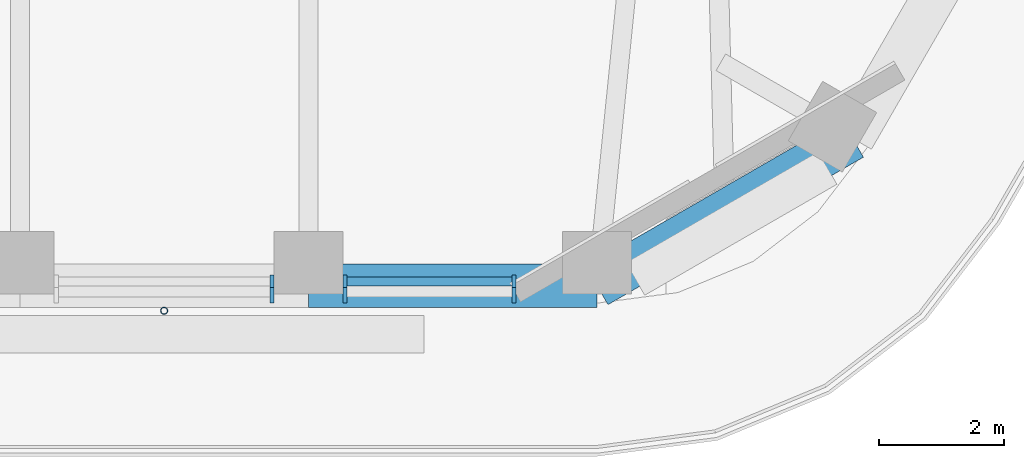
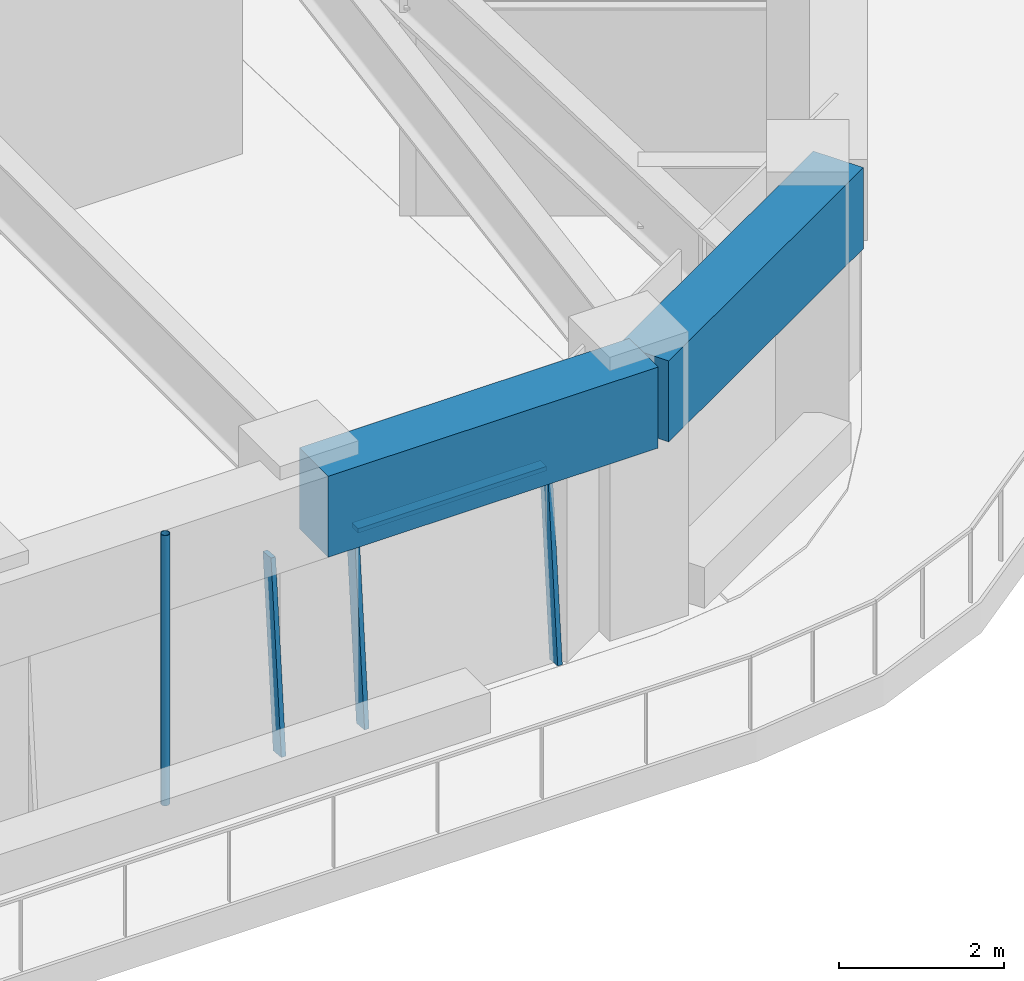
# One storey, part 4 of 20: 5 members, 2 beams, 2 elements without a shape of their own.
"""IFC4 building model written with IfcOpenShell, lengths in metres."""

import ifcopenshell
import ifcopenshell.guid

model = None  # the IFC model being written
_history = None  # IfcOwnerHistory: only IFC2X3 demands one
_inside = {}  # id of a spatial element -> (the spatial element, [elements in it])
_under = {}  # id of a project, library or spatial element -> (it, [spatial elements below it])
_declared = {}  # id of a project -> (the project, [libraries it declares])
_typed = {}  # id of a type object -> (the type object, [elements of that type])
_made_of = {}  # id of a material, layer set ... -> (it, [elements and type objects made of it])


def new_model(schema):
    """Start an empty IFC model of exactly this schema.

    Asked for "IFC4X3", IfcOpenShell would pick the latest addendum, in which some entities
    have other attributes; the version numbers below select the first issue.
    IFC2X3 requires an IfcOwnerHistory on every rooted entity: one is made here for all.
    """
    global model, _history
    if schema == "IFC4X3":
        model = ifcopenshell.file(schema_version=(4, 3, 0, 0))
    else:
        model = ifcopenshell.file(schema=schema)
    _inside.clear()
    _under.clear()
    _declared.clear()
    _typed.clear()
    _made_of.clear()
    _history = None
    if model.schema == "IFC2X3":
        org = make("IfcOrganization", Name="unknown")
        user = make(
            "IfcPersonAndOrganization",
            ThePerson=make("IfcPerson", FamilyName="unknown"),
            TheOrganization=org,
        )
        app = make(
            "IfcApplication",
            ApplicationDeveloper=org,
            Version="unknown",
            ApplicationFullName="unknown",
            ApplicationIdentifier="unknown",
        )
        _history = make(
            "IfcOwnerHistory",
            OwningUser=user,
            OwningApplication=app,
            ChangeAction="ADDED",
            CreationDate=0,
        )
    return model


def make(cls, **values):
    """One entity of the class cls with the attributes given. An attribute that is None is left unset."""
    return model.create_entity(
        cls, **{name: value for name, value in values.items() if value is not None}
    )


def rooted(cls, **values):
    """An entity with a GlobalId (a new one), such as an element, a storey or a relation."""
    return make(cls, GlobalId=ifcopenshell.guid.new(), OwnerHistory=_history, **values)


def si_unit(unit_type, name, prefix=None):
    """IfcSIUnit, for example si_unit("LENGTHUNIT", "METRE", prefix="MILLI")."""
    return make("IfcSIUnit", UnitType=unit_type, Prefix=prefix, Name=name)


def assignment(units):
    """IfcUnitAssignment: the units of a project."""
    return None if units is None else make("IfcUnitAssignment", Units=units)


def point(xyz):
    """IfcCartesianPoint."""
    return None if xyz is None else make("IfcCartesianPoint", Coordinates=xyz)


def direction(xyz):
    """IfcDirection."""
    return None if xyz is None else make("IfcDirection", DirectionRatios=xyz)


def frame(location, z_axis=None, x_axis=None):
    """IfcAxis2Placement3D, a coordinate frame: its origin and axes. An axis left out is left unset."""
    return make(
        "IfcAxis2Placement3D",
        Location=point(location),
        Axis=direction(z_axis),
        RefDirection=direction(x_axis),
    )


def frame_2d(location, x_axis=None):
    """IfcAxis2Placement2D, a coordinate frame in the plane: its origin and x axis."""
    return make(
        "IfcAxis2Placement2D", Location=point(location), RefDirection=direction(x_axis)
    )


def origin():
    """The frame at (0, 0, 0) with its axes left unset."""
    return frame((0.0, 0.0, 0.0))


def origin_2d():
    """The frame at (0, 0) in the plane with its x axis left unset."""
    return frame_2d((0.0, 0.0))


def place(relative_to, where):
    """IfcLocalPlacement: puts the frame where relative to a parent placement (None: the world)."""
    return make(
        "IfcLocalPlacement", PlacementRelTo=relative_to, RelativePlacement=where
    )


def context(
    kind, dimensions, precision=None, world=None, true_north=None, identifier=None
):
    """IfcGeometricRepresentationContext, for example the 3D "Model" context."""
    return make(
        "IfcGeometricRepresentationContext",
        ContextIdentifier=identifier,
        ContextType=kind,
        CoordinateSpaceDimension=dimensions,
        Precision=precision,
        WorldCoordinateSystem=world,
        TrueNorth=true_north,
    )


def subcontext(parent, identifier, kind, view, scale=None):
    """IfcGeometricRepresentationSubContext, for example "Body" below "Model"."""
    return make(
        "IfcGeometricRepresentationSubContext",
        ContextIdentifier=identifier,
        ContextType=kind,
        ParentContext=parent,
        TargetScale=scale,
        TargetView=view,
    )


def project(units=None, contexts=None):
    """IfcProject with its units and contexts."""
    return rooted(
        "IfcProject",
        Name="project",
        RepresentationContexts=contexts,
        UnitsInContext=assignment(units),
    )


def spatial(cls, under=None, at=None, **own):
    """A site, building, storey or space (cls), placed at a placement, below another one or the project."""
    s = rooted(cls, ObjectPlacement=at, **own)
    if under is not None:
        _under.setdefault(under.id(), (under, []))[1].append(s)
    return s


def profile(cls, at=None, kind="AREA", **sizes):
    """A parametric profile (cls). Its sizes go by their IFC names, for example OverallWidth=200.0."""
    return make(cls, ProfileType=kind, Position=at, **sizes)


def rectangle(**sizes):
    """IfcRectangleProfileDef."""
    return profile("IfcRectangleProfileDef", **sizes)


def hollow_circle(**sizes):
    """IfcCircleHollowProfileDef."""
    return profile("IfcCircleHollowProfileDef", **sizes)


def extrude(swept, where, along, depth):
    """IfcExtrudedAreaSolid: the profile swept, set in the frame where, extruded along a direction by depth."""
    return make(
        "IfcExtrudedAreaSolid",
        SweptArea=swept,
        Position=where,
        ExtrudedDirection=direction(along),
        Depth=depth,
    )


def shape(context_of_items, identifier, shape_type, items):
    """IfcShapeRepresentation: the items that make up one representation, for example the "Body"."""
    return make(
        "IfcShapeRepresentation",
        ContextOfItems=context_of_items,
        RepresentationIdentifier=identifier,
        RepresentationType=shape_type,
        Items=items,
    )


def material(Name=None, Category=None):
    """IfcMaterial."""
    return make("IfcMaterial", Name=Name, Category=Category)


def material_profile(
    of_material, cross_section, Name=None, Category=None, Priority=None
):
    """IfcMaterialProfile: a cross section and its material."""
    return make(
        "IfcMaterialProfile",
        Name=Name,
        Material=of_material,
        Profile=cross_section,
        Priority=Priority,
        Category=Category,
    )


def profile_set(profiles, Name=None, composite=None):
    """IfcMaterialProfileSet."""
    return make(
        "IfcMaterialProfileSet",
        Name=Name,
        MaterialProfiles=profiles,
        CompositeProfile=composite,
    )


def made_of(thing, what):
    """Note that an element or type object is made of a material, layer set ...; save() writes the relation."""
    if what is not None:
        _made_of.setdefault(what.id(), (what, []))[1].append(thing)
    return thing


def type_object(cls, material=None, **own):
    """A type object (cls), such as IfcWallType, which elements share."""
    return made_of(rooted(cls, **own), material)


def element(
    cls,
    number,
    at=None,
    inside=None,
    cuts=None,
    type_object=None,
    material=None,
    context=None,
    identifier="Body",
    shape_type=None,
    held_by="IfcProductDefinitionShape",
    body=None,
    shapes=None,
    **own,
):
    """One element of the class cls, such as IfcWall. Its Tag is "e" and its number.

    at: its placement. inside: the storey or other place that contains it. cuts: it is an
    opening in that element (IfcRelVoidsElement). A single representation is given by context,
    identifier, shape_type and body (its items); several are given by shapes. held_by: the class
    of the entity that holds the representations. save() writes the other relations.
    """
    e = rooted(cls, Tag="e%d" % number, ObjectPlacement=at, **own)
    if body is not None:
        shapes = [shape(context, identifier, shape_type, body)]
    if shapes is not None:
        e.Representation = make(held_by, Representations=shapes)
    if inside is not None:
        _inside.setdefault(inside.id(), (inside, []))[1].append(e)
    if cuts is not None:
        rooted(
            "IfcRelVoidsElement", RelatingBuildingElement=cuts, RelatedOpeningElement=e
        )
    if type_object is not None:
        _typed.setdefault(type_object.id(), (type_object, []))[1].append(e)
    return made_of(e, material)


def aggregate(whole, parts):
    """IfcRelAggregates: a whole, such as a stair, and the parts it consists of."""
    return rooted("IfcRelAggregates", RelatingObject=whole, RelatedObjects=parts)


def save(model, path):
    """Write the relations noted so far, then the file.

    IfcRelAggregates (storeys below a building ...), IfcRelContainedInSpatialStructure (elements
    in a storey), IfcRelDefinesByType, IfcRelAssociatesMaterial and IfcRelDeclares: one each for
    every whole, place, type object, material and project.
    """
    for whole, parts in _under.values():
        aggregate(whole, parts)
    for where, things in _inside.values():
        rooted(
            "IfcRelContainedInSpatialStructure",
            RelatedElements=things,
            RelatingStructure=where,
        )
    for kind, things in _typed.values():
        rooted("IfcRelDefinesByType", RelatedObjects=things, RelatingType=kind)
    for what, things in _made_of.values():
        rooted("IfcRelAssociatesMaterial", RelatedObjects=things, RelatingMaterial=what)
    for by, libraries in _declared.values():
        rooted("IfcRelDeclares", RelatingContext=by, RelatedDefinitions=libraries)
    model.write(path)


model = new_model("IFC4")

# Units and contexts
model_context = context("Model", 3, precision=1e-05, world=origin(), true_north=direction((0.0, 1.0)))
body_context = subcontext(model_context, "Body", "Model", "MODEL_VIEW")
ifc_project = project(units=[si_unit("LENGTHUNIT", "METRE"), si_unit("AREAUNIT", "SQUARE_METRE"), si_unit("VOLUMEUNIT", "CUBIC_METRE"), si_unit("PLANEANGLEUNIT", "RADIAN"), si_unit("MASSUNIT", "GRAM", prefix="KILO")], contexts=[model_context])

# Site, building, storey
site_placement = place(None, origin())
site = spatial("IfcSite", under=ifc_project, at=site_placement, CompositionType="ELEMENT")
building_placement = place(site_placement, origin())
building = spatial("IfcBuilding", under=site, at=building_placement, Name="Tarfa Lantern Tower", CompositionType="ELEMENT")
storey_placement = place(building_placement, frame((0.0, 0.0, 286.89990234375)))
storey = spatial("IfcBuildingStorey", under=building, at=storey_placement, Name="L65", CompositionType="ELEMENT", Elevation=286.89990234375)

# Curtain wall, member
ifc_material_1 = material(Name="Aluminium framed curtain wall", Category="aluminium")
curtain_wall_type = type_object("IfcCurtainWallType", Name="CW3 CANTED GLAZING HIGH ZONE 2800", PredefinedType="USERDEFINED", material=ifc_material_1)
curtain_wall_1_placement = place(storey_placement, origin())
curtain_wall_1 = element("IfcCurtainWall", 1, at=curtain_wall_1_placement, inside=storey, type_object=curtain_wall_type, Name="CW3 S L65", ObjectType="CURTAIN WALL", PredefinedType="USERDEFINED")
ifc_material_2 = material(Name="Aluminium mullion", Category="aluminium")
ifc_material_profile_1 = material_profile(ifc_material_2, rectangle(XDim=0.06494140625, YDim=0.199951171875, at=origin_2d()), Name="AL MULLION 65x200")
ifc_profile_set_1 = profile_set([ifc_material_profile_1], Name="Aluminium mullion")
member_type_1 = type_object("IfcMemberType", Name="CWM1 MULLION 65x200", PredefinedType="MULLION", material=ifc_profile_set_1)
member_1_placement = place(storey_placement, frame((8.655029296875, -28.89990234375, 0.0), z_axis=(0.0, 0.088930399417, 0.996037842685), x_axis=(-1.0, 0.0, 0.0)))
member_1 = element("IfcMember", 2, at=member_1_placement, type_object=member_type_1, Name="CW3 mullion 2", PredefinedType="MULLION", context=body_context, shape_type="SweptSolid", body=[
    extrude(rectangle(XDim=0.06494140625, YDim=0.199951171875, at=origin_2d()), origin(), (0.0, 0.0, 1.0), 2.811279296875),
])
aggregate(curtain_wall_1, [member_1])

# Curtain wall, members
curtain_wall_2_placement = place(storey_placement, origin())
curtain_wall_2 = element("IfcCurtainWall", 3, at=curtain_wall_2_placement, inside=storey, type_object=curtain_wall_type, Name="CW3 S L65", ObjectType="CURTAIN WALL", PredefinedType="USERDEFINED")
member_2_placement = place(storey_placement, frame((9.820068359375, -28.89990234375, 0.0), z_axis=(0.0, 0.088930399417, 0.996037842685), x_axis=(-1.0, 0.0, 0.0)))
member_2 = element("IfcMember", 4, at=member_2_placement, type_object=member_type_1, Name="CW3 mullion 1", PredefinedType="MULLION", context=body_context, shape_type="SweptSolid", body=[
    extrude(rectangle(XDim=0.06494140625, YDim=0.199951171875, at=origin_2d()), origin(), (0.0, 0.0, 1.0), 2.811279296875),
])
member_3_placement = place(storey_placement, frame((12.52392578125, -28.89990234375, 0.0), z_axis=(0.0, 0.088930399417, 0.996037842685), x_axis=(-1.0, 0.0, 0.0)))
member_3 = element("IfcMember", 5, at=member_3_placement, type_object=member_type_1, Name="CW3 mullion 2", PredefinedType="MULLION", context=body_context, shape_type="SweptSolid", body=[
    extrude(rectangle(XDim=0.06494140625, YDim=0.199951171875, at=origin_2d()), origin(), (0.0, 0.0, 1.0), 2.811279296875),
])
ifc_material_3 = material(Name="Aluminium transom", Category="aluminium")
ifc_material_profile_2 = material_profile(ifc_material_3, rectangle(XDim=0.14990234375, YDim=0.06494140625, at=origin_2d()), Name="AL TRANSOM 150x65")
ifc_profile_set_2 = profile_set([ifc_material_profile_2], Name="Aluminium transom")
member_type_2 = type_object("IfcMemberType", Name="CWT1 TRANSOM 150x65", PredefinedType="USERDEFINED", material=ifc_profile_set_2)
member_4_placement = place(storey_placement, frame((9.8525390625, -28.65283203125, 2.767578125), z_axis=(1.0, 0.0, 0.0), x_axis=(0.0, 1.0, 0.0)))
member_4 = element("IfcMember", 6, at=member_4_placement, type_object=member_type_2, Name="CW3 transom 1.2", ObjectType="TRANSOM", PredefinedType="USERDEFINED", context=body_context, shape_type="SweptSolid", body=[
    extrude(rectangle(XDim=0.14990234375, YDim=0.06494140625, at=origin_2d()), origin(), (0.0, 0.0, 1.0), 2.638916015625),
])
aggregate(curtain_wall_2, [member_2, member_3, member_4])

# Beams
ifc_material_4 = material(Name="Concrete C80/95", Category="concrete")
ifc_material_profile_3 = material_profile(ifc_material_4, rectangle(XDim=0.699951171875, YDim=1.199951171875, at=origin_2d()), Name="RC 700x1200")
ifc_profile_set_3 = profile_set([ifc_material_profile_3], Name="Concrete C80/95")
beam_type = type_object("IfcBeamType", Name="EB3 RC 700x1200", PredefinedType="SPANDREL", material=ifc_profile_set_3)
beam_1_placement = place(storey_placement, frame((9.237548828125, -28.719970703125, 3.400146484375), z_axis=(1.0, 0.0, 0.0), x_axis=(0.0, 1.0, 0.0)))
element("IfcBeam", 7, at=beam_1_placement, inside=storey, type_object=beam_type, Name="Edge beam S5", PredefinedType="SPANDREL", context=body_context, shape_type="SweptSolid", body=[
    extrude(rectangle(XDim=0.699951171875, YDim=1.199951171875, at=origin_2d()), origin(), (0.0, 0.0, 1.0), 4.618896484375),
])
beam_2_placement = place(storey_placement, frame((13.8564453125, -28.719970703125, 3.400146484375), z_axis=(0.866038294681, 0.499977671647, 0.0), x_axis=(-0.499977671647, 0.866038294681, 0.0)))
element("IfcBeam", 8, at=beam_2_placement, inside=storey, type_object=beam_type, Name="Edge beam S6", PredefinedType="SPANDREL", context=body_context, shape_type="SweptSolid", body=[
    extrude(rectangle(XDim=0.699951171875, YDim=1.199951171875, at=origin_2d()), origin(), (0.0, 0.0, 1.0), 4.719970703125),
])

# Member
ifc_material_5 = material(Name="Steel S355", Category="steel")
ifc_material_profile_4 = material_profile(ifc_material_5, hollow_circle(Radius=0.05712890625, WallThickness=0.00634765625, at=origin_2d()), Name="CHS114.3x6.3")
ifc_profile_set_4 = profile_set([ifc_material_profile_4], Name="Steel S355")
member_type_3 = type_object("IfcMemberType", Name="TR1 GREEN WALL TRELLIS CHS114.3x6.3", PredefinedType="USERDEFINED", material=ifc_profile_set_4)
member_5_placement = place(storey_placement, frame((6.92822265625, -29.1201171875, 0.0), z_axis=(0.0, 0.0, 1.0), x_axis=(1.0, 0.0, 0.0)))
element("IfcMember", 9, at=member_5_placement, inside=storey, type_object=member_type_3, Name="Trellis post S 2", ObjectType="TRELLIS", PredefinedType="USERDEFINED", context=body_context, shape_type="SweptSolid", body=[
    extrude(hollow_circle(Radius=0.05712890625, WallThickness=0.00634765625, at=origin_2d()), origin(), (0.0, 0.0, 1.0), 4.0),
])

save(model, "model.ifc")
